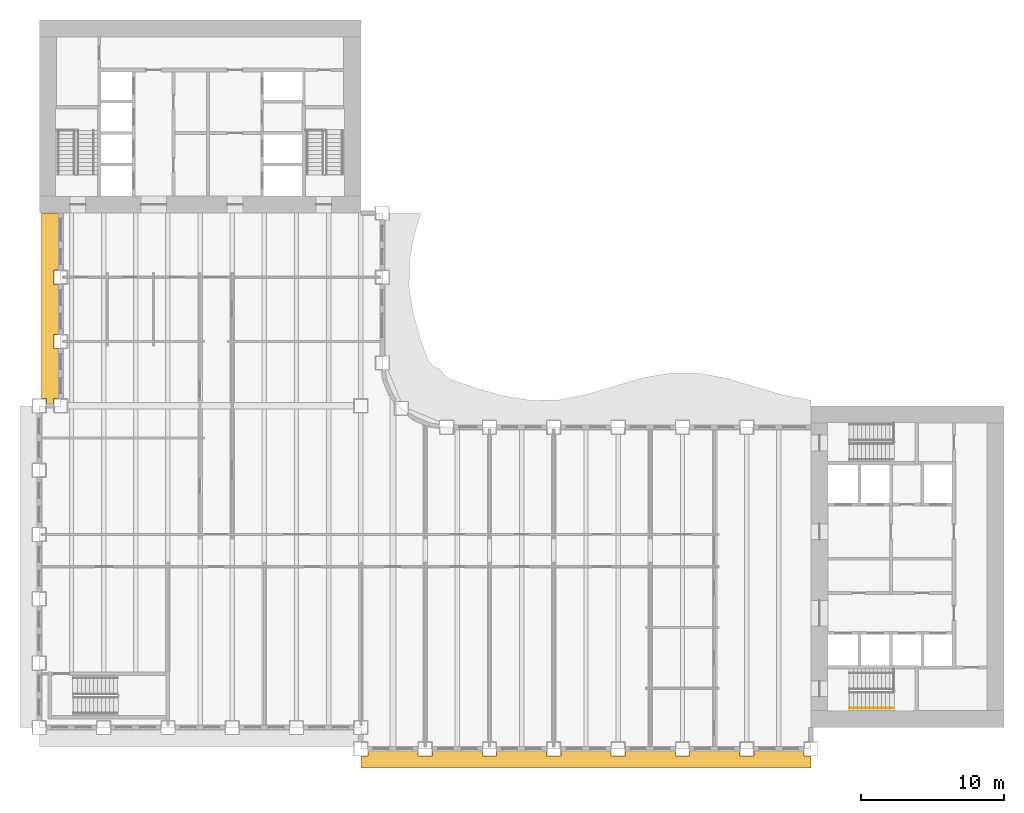
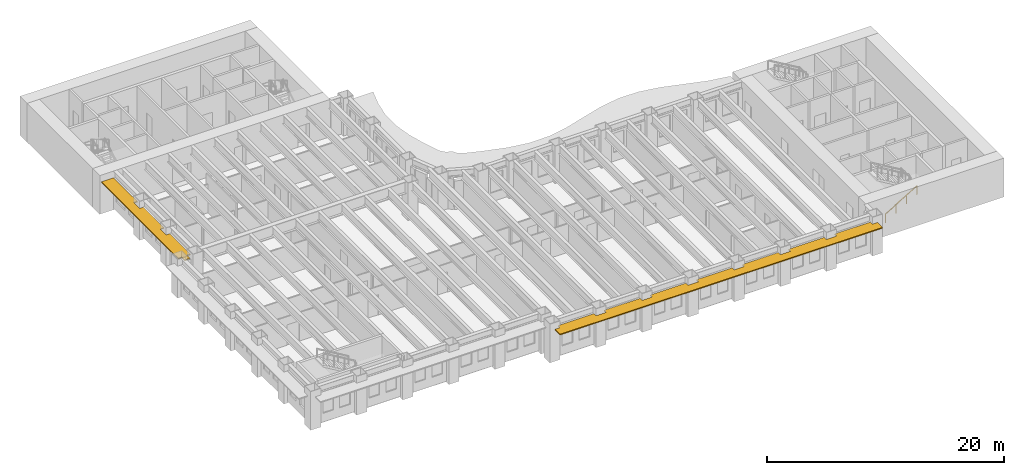
# One storey, part 12 of 16: 2 shading devices, 1 railing.
"""IFC4 building model written with IfcOpenShell, lengths in metres."""

from ifc_helpers import new_model, si_unit, direction, frame, origin, origin_2d, place, context, subcontext, project, spatial, polyline, rectangle, outline, extrude, material, layer, layer_set, type_object, element, save


model = new_model("IFC4")

# Units and contexts
model_context = context("Model", 3, precision=1e-05, world=origin(), true_north=direction((0.0, 1.0)))
body_context = subcontext(model_context, "Body", "Model", "MODEL_VIEW")
ifc_project = project(units=[si_unit("LENGTHUNIT", "METRE"), si_unit("AREAUNIT", "SQUARE_METRE"), si_unit("VOLUMEUNIT", "CUBIC_METRE"), si_unit("PLANEANGLEUNIT", "RADIAN"), si_unit("MASSUNIT", "GRAM", prefix="KILO")], contexts=[model_context])

# Site, building, storey
site_placement = place(None, origin())
site = spatial("IfcSite", under=ifc_project, at=site_placement, CompositionType="ELEMENT")
building_placement = place(site_placement, origin())
building = spatial("IfcBuilding", under=site, at=building_placement, Name="Sennacour Bend Tower", CompositionType="ELEMENT")
storey_placement = place(building_placement, frame((0.0, 0.0, 87.0)))
storey = spatial("IfcBuildingStorey", under=building, at=storey_placement, Name="L19", CompositionType="ELEMENT", Elevation=87.0)

# Railing
ifc_material_1 = material(Name="Stainless steel", Category="steel")
railing_type = type_object("IfcRailingType", Name="RL-HANDRAIL-900", PredefinedType="HANDRAIL", material=ifc_material_1)
railing_placement = place(storey_placement, frame((56.699951171875, 1.35009765625, 0.166748046875)))
element("IfcRailing", 1, at=railing_placement, inside=storey, type_object=railing_type, Name="L19 SA1 stair handrail 1", PredefinedType="HANDRAIL", context=body_context, shape_type="SweptSolid", body=[
    extrude(rectangle(XDim=0.048095703125, YDim=0.048095703125, at=origin_2d()), frame((0.0, 0.0, 0.8759765625), z_axis=(0.859308565015, 0.0, 0.511457515432), x_axis=(0.0, 1.0, 0.0)), (0.0, 0.0, 1.0), 3.58447265625),
    extrude(rectangle(XDim=0.0419921875, YDim=0.0419921875, at=origin_2d()), origin(), (0.0, 0.0, 1.0), 0.851806640625),
    extrude(rectangle(XDim=0.0419921875, YDim=0.0419921875, at=origin_2d()), frame((1.026611328125, 0.0, 0.611083984375)), (0.0, 0.0, 1.0), 0.851806640625),
    extrude(rectangle(XDim=0.0419921875, YDim=0.0419921875, at=origin_2d()), frame((2.053466796875, 0.0, 1.22216796875)), (0.0, 0.0, 1.0), 0.851806640625),
    extrude(rectangle(XDim=0.0419921875, YDim=0.0419921875, at=origin_2d()), frame((3.080078125, 0.0, 1.833251953125)), (0.0, 0.0, 1.0), 0.851806640625),
])

# Shading devices
ifc_material_2 = material(Name="Bronze anodised aluminium", Category="aluminium")
ifc_layer = layer(ifc_material_2, 0.10009765625, Name="Bronze anodised aluminium", Category="aluminium")
ifc_layer_set = layer_set([ifc_layer], Name="Bronze anodised aluminium")
shading_device_type = type_object("IfcShadingDeviceType", Name="SUNSHADE BAND STRAIGHT", PredefinedType="USERDEFINED", material=ifc_layer_set)
shading_device_1_placement = place(storey_placement, frame((0.0, 0.0, 3.053955078125)))
element("IfcShadingDevice", 2, at=shading_device_1_placement, inside=storey, type_object=shading_device_type, Name="Sunshade band L19 A outer face", ObjectType="SUNSHADE", PredefinedType="USERDEFINED", context=body_context, shape_type="SweptSolid", body=[
    extrude(outline(polyline([(26.5, -1.64990234375), (26.5, -2.0), (27.5, -2.0), (27.5, -1.64990234375), (31.0, -1.64990234375), (31.0, -2.0), (32.0, -2.0), (32.0, -1.64990234375), (35.5, -1.64990234375), (35.5, -2.0), (36.5, -2.0), (36.5, -1.64990234375), (40.0, -1.64990234375), (40.0, -2.0), (41.0, -2.0), (41.0, -1.64990234375), (44.5, -1.64990234375), (44.5, -2.0), (45.5, -2.0), (45.5, -1.64990234375), (49.0, -1.64990234375), (49.0, -2.0), (50.0, -2.0), (50.0, -1.64990234375), (53.5, -1.64990234375), (53.5, -2.0), (54.0, -2.0), (54.0, -2.85009765625), (22.5, -2.85009765625), (22.5, -2.0), (23.0, -2.0), (23.0, -1.64990234375), (26.5, -1.64990234375)])), origin(), (0.0, 0.0, 1.0), 0.10009765625),
])
shading_device_2_placement = place(storey_placement, frame((0.0, 0.0, 3.053955078125)))
element("IfcShadingDevice", 3, at=shading_device_2_placement, inside=storey, type_object=shading_device_type, Name="Sunshade band L19 B outer face", ObjectType="SUNSHADE", PredefinedType="USERDEFINED", context=body_context, shape_type="SweptSolid", body=[
    extrude(outline(polyline([(1.35009765625, 32.0), (1.0, 32.0), (1.0, 31.0), (1.35009765625, 31.0), (1.35009765625, 27.5), (1.0, 27.5), (1.0, 26.5), (1.35009765625, 26.5), (1.35009765625, 23.0), (1.0, 23.0), (1.0, 22.5), (0.5, 22.5), (0.5, 23.0), (0.14990234375, 23.0), (0.14990234375, 36.0), (1.35009765625, 36.0), (1.35009765625, 32.0)])), origin(), (0.0, 0.0, 1.0), 0.10009765625),
])

save(model, "model.ifc")
